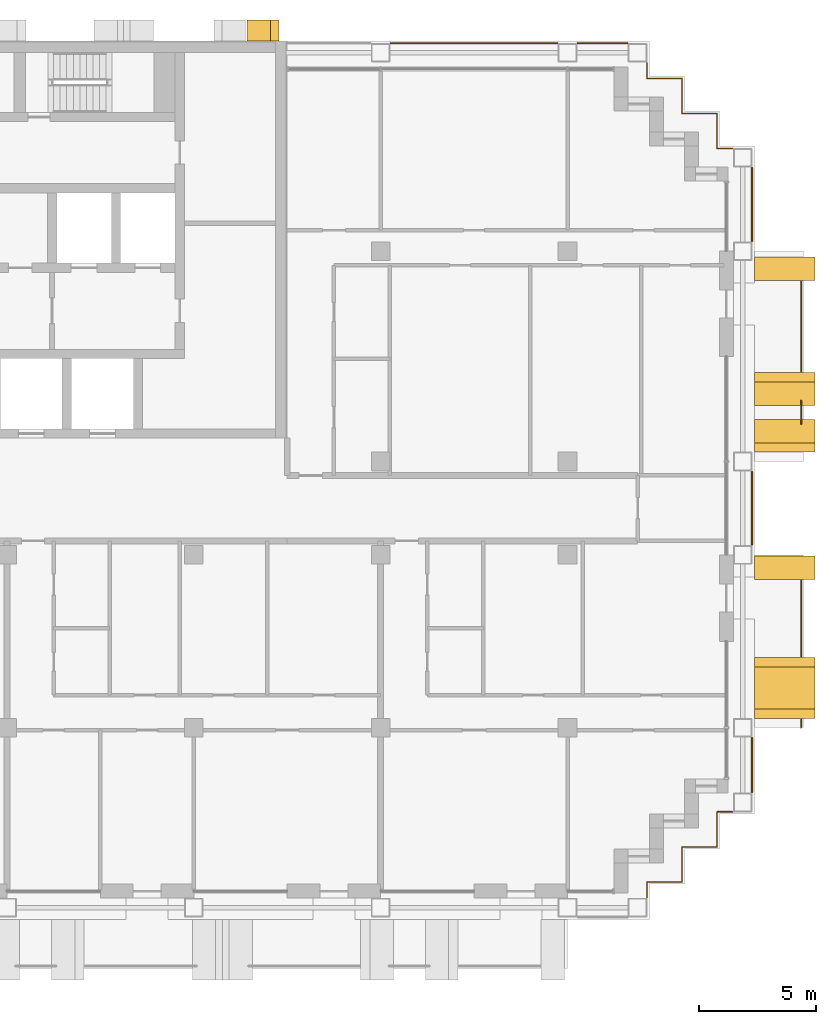
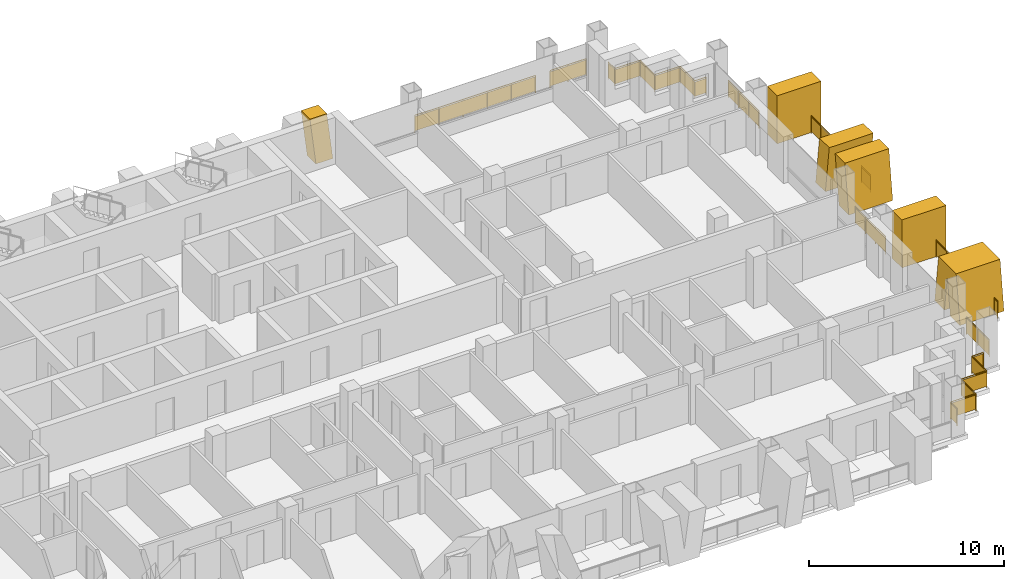
# One storey, part 18 of 18: 11 railings, 6 shading devices.
"""IFC4 building model written with IfcOpenShell, lengths in metres."""

import ifcopenshell
import ifcopenshell.guid

model = None  # the IFC model being written
_history = None  # IfcOwnerHistory: only IFC2X3 demands one
_inside = {}  # id of a spatial element -> (the spatial element, [elements in it])
_under = {}  # id of a project, library or spatial element -> (it, [spatial elements below it])
_declared = {}  # id of a project -> (the project, [libraries it declares])
_typed = {}  # id of a type object -> (the type object, [elements of that type])
_made_of = {}  # id of a material, layer set ... -> (it, [elements and type objects made of it])


def new_model(schema):
    """Start an empty IFC model of exactly this schema.

    Asked for "IFC4X3", IfcOpenShell would pick the latest addendum, in which some entities
    have other attributes; the version numbers below select the first issue.
    IFC2X3 requires an IfcOwnerHistory on every rooted entity: one is made here for all.
    """
    global model, _history
    if schema == "IFC4X3":
        model = ifcopenshell.file(schema_version=(4, 3, 0, 0))
    else:
        model = ifcopenshell.file(schema=schema)
    _inside.clear()
    _under.clear()
    _declared.clear()
    _typed.clear()
    _made_of.clear()
    _history = None
    if model.schema == "IFC2X3":
        org = make("IfcOrganization", Name="unknown")
        user = make(
            "IfcPersonAndOrganization",
            ThePerson=make("IfcPerson", FamilyName="unknown"),
            TheOrganization=org,
        )
        app = make(
            "IfcApplication",
            ApplicationDeveloper=org,
            Version="unknown",
            ApplicationFullName="unknown",
            ApplicationIdentifier="unknown",
        )
        _history = make(
            "IfcOwnerHistory",
            OwningUser=user,
            OwningApplication=app,
            ChangeAction="ADDED",
            CreationDate=0,
        )
    return model


def make(cls, **values):
    """One entity of the class cls with the attributes given. An attribute that is None is left unset."""
    return model.create_entity(
        cls, **{name: value for name, value in values.items() if value is not None}
    )


def rooted(cls, **values):
    """An entity with a GlobalId (a new one), such as an element, a storey or a relation."""
    return make(cls, GlobalId=ifcopenshell.guid.new(), OwnerHistory=_history, **values)


def si_unit(unit_type, name, prefix=None):
    """IfcSIUnit, for example si_unit("LENGTHUNIT", "METRE", prefix="MILLI")."""
    return make("IfcSIUnit", UnitType=unit_type, Prefix=prefix, Name=name)


def assignment(units):
    """IfcUnitAssignment: the units of a project."""
    return None if units is None else make("IfcUnitAssignment", Units=units)


def point(xyz):
    """IfcCartesianPoint."""
    return None if xyz is None else make("IfcCartesianPoint", Coordinates=xyz)


def direction(xyz):
    """IfcDirection."""
    return None if xyz is None else make("IfcDirection", DirectionRatios=xyz)


def frame(location, z_axis=None, x_axis=None):
    """IfcAxis2Placement3D, a coordinate frame: its origin and axes. An axis left out is left unset."""
    return make(
        "IfcAxis2Placement3D",
        Location=point(location),
        Axis=direction(z_axis),
        RefDirection=direction(x_axis),
    )


def frame_2d(location, x_axis=None):
    """IfcAxis2Placement2D, a coordinate frame in the plane: its origin and x axis."""
    return make(
        "IfcAxis2Placement2D", Location=point(location), RefDirection=direction(x_axis)
    )


def origin():
    """The frame at (0, 0, 0) with its axes left unset."""
    return frame((0.0, 0.0, 0.0))


def origin_2d():
    """The frame at (0, 0) in the plane with its x axis left unset."""
    return frame_2d((0.0, 0.0))


def place(relative_to, where):
    """IfcLocalPlacement: puts the frame where relative to a parent placement (None: the world)."""
    return make(
        "IfcLocalPlacement", PlacementRelTo=relative_to, RelativePlacement=where
    )


def context(
    kind, dimensions, precision=None, world=None, true_north=None, identifier=None
):
    """IfcGeometricRepresentationContext, for example the 3D "Model" context."""
    return make(
        "IfcGeometricRepresentationContext",
        ContextIdentifier=identifier,
        ContextType=kind,
        CoordinateSpaceDimension=dimensions,
        Precision=precision,
        WorldCoordinateSystem=world,
        TrueNorth=true_north,
    )


def subcontext(parent, identifier, kind, view, scale=None):
    """IfcGeometricRepresentationSubContext, for example "Body" below "Model"."""
    return make(
        "IfcGeometricRepresentationSubContext",
        ContextIdentifier=identifier,
        ContextType=kind,
        ParentContext=parent,
        TargetScale=scale,
        TargetView=view,
    )


def project(units=None, contexts=None):
    """IfcProject with its units and contexts."""
    return rooted(
        "IfcProject",
        Name="project",
        RepresentationContexts=contexts,
        UnitsInContext=assignment(units),
    )


def spatial(cls, under=None, at=None, **own):
    """A site, building, storey or space (cls), placed at a placement, below another one or the project."""
    s = rooted(cls, ObjectPlacement=at, **own)
    if under is not None:
        _under.setdefault(under.id(), (under, []))[1].append(s)
    return s


def polyline(points):
    """IfcPolyline through the points."""
    return make("IfcPolyline", Points=[point(p) for p in points])


def profile(cls, at=None, kind="AREA", **sizes):
    """A parametric profile (cls). Its sizes go by their IFC names, for example OverallWidth=200.0."""
    return make(cls, ProfileType=kind, Position=at, **sizes)


def rectangle(**sizes):
    """IfcRectangleProfileDef."""
    return profile("IfcRectangleProfileDef", **sizes)


def circle(**sizes):
    """IfcCircleProfileDef."""
    return profile("IfcCircleProfileDef", **sizes)


def outline(outer, holes=None, kind="AREA"):
    """IfcArbitraryClosedProfileDef: a profile drawn as a closed curve; with holes, ...WithVoids."""
    if holes is None:
        return make("IfcArbitraryClosedProfileDef", ProfileType=kind, OuterCurve=outer)
    return make(
        "IfcArbitraryProfileDefWithVoids",
        ProfileType=kind,
        OuterCurve=outer,
        InnerCurves=holes,
    )


def extrude(swept, where, along, depth):
    """IfcExtrudedAreaSolid: the profile swept, set in the frame where, extruded along a direction by depth."""
    return make(
        "IfcExtrudedAreaSolid",
        SweptArea=swept,
        Position=where,
        ExtrudedDirection=direction(along),
        Depth=depth,
    )


def shape(context_of_items, identifier, shape_type, items):
    """IfcShapeRepresentation: the items that make up one representation, for example the "Body"."""
    return make(
        "IfcShapeRepresentation",
        ContextOfItems=context_of_items,
        RepresentationIdentifier=identifier,
        RepresentationType=shape_type,
        Items=items,
    )


def material(Name=None, Category=None):
    """IfcMaterial."""
    return make("IfcMaterial", Name=Name, Category=Category)


def layer(
    of_material, thickness, ventilated=None, Name=None, Category=None, Priority=None
):
    """IfcMaterialLayer: one layer of a wall or slab, of a material (None: an air gap)."""
    return make(
        "IfcMaterialLayer",
        Material=of_material,
        LayerThickness=thickness,
        IsVentilated=ventilated,
        Name=Name,
        Category=Category,
        Priority=Priority,
    )


def layer_set(layers, Name=None):
    """IfcMaterialLayerSet."""
    return make("IfcMaterialLayerSet", MaterialLayers=layers, LayerSetName=Name)


def made_of(thing, what):
    """Note that an element or type object is made of a material, layer set ...; save() writes the relation."""
    if what is not None:
        _made_of.setdefault(what.id(), (what, []))[1].append(thing)
    return thing


def type_object(cls, material=None, **own):
    """A type object (cls), such as IfcWallType, which elements share."""
    return made_of(rooted(cls, **own), material)


def element(
    cls,
    number,
    at=None,
    inside=None,
    cuts=None,
    type_object=None,
    material=None,
    context=None,
    identifier="Body",
    shape_type=None,
    held_by="IfcProductDefinitionShape",
    body=None,
    shapes=None,
    **own,
):
    """One element of the class cls, such as IfcWall. Its Tag is "e" and its number.

    at: its placement. inside: the storey or other place that contains it. cuts: it is an
    opening in that element (IfcRelVoidsElement). A single representation is given by context,
    identifier, shape_type and body (its items); several are given by shapes. held_by: the class
    of the entity that holds the representations. save() writes the other relations.
    """
    e = rooted(cls, Tag="e%d" % number, ObjectPlacement=at, **own)
    if body is not None:
        shapes = [shape(context, identifier, shape_type, body)]
    if shapes is not None:
        e.Representation = make(held_by, Representations=shapes)
    if inside is not None:
        _inside.setdefault(inside.id(), (inside, []))[1].append(e)
    if cuts is not None:
        rooted(
            "IfcRelVoidsElement", RelatingBuildingElement=cuts, RelatedOpeningElement=e
        )
    if type_object is not None:
        _typed.setdefault(type_object.id(), (type_object, []))[1].append(e)
    return made_of(e, material)


def aggregate(whole, parts):
    """IfcRelAggregates: a whole, such as a stair, and the parts it consists of."""
    return rooted("IfcRelAggregates", RelatingObject=whole, RelatedObjects=parts)


def save(model, path):
    """Write the relations noted so far, then the file.

    IfcRelAggregates (storeys below a building ...), IfcRelContainedInSpatialStructure (elements
    in a storey), IfcRelDefinesByType, IfcRelAssociatesMaterial and IfcRelDeclares: one each for
    every whole, place, type object, material and project.
    """
    for whole, parts in _under.values():
        aggregate(whole, parts)
    for where, things in _inside.values():
        rooted(
            "IfcRelContainedInSpatialStructure",
            RelatedElements=things,
            RelatingStructure=where,
        )
    for kind, things in _typed.values():
        rooted("IfcRelDefinesByType", RelatedObjects=things, RelatingType=kind)
    for what, things in _made_of.values():
        rooted("IfcRelAssociatesMaterial", RelatedObjects=things, RelatingMaterial=what)
    for by, libraries in _declared.values():
        rooted("IfcRelDeclares", RelatingContext=by, RelatedDefinitions=libraries)
    model.write(path)


model = new_model("IFC4")

# Units and contexts
model_context = context("Model", 3, precision=1e-05, world=origin(), true_north=direction((0.0, 1.0)))
body_context = subcontext(model_context, "Body", "Model", "MODEL_VIEW")
ifc_project = project(units=[si_unit("LENGTHUNIT", "METRE"), si_unit("AREAUNIT", "SQUARE_METRE"), si_unit("VOLUMEUNIT", "CUBIC_METRE"), si_unit("PLANEANGLEUNIT", "RADIAN"), si_unit("MASSUNIT", "GRAM", prefix="KILO")], contexts=[model_context])

# Site, building, storey
site_placement = place(None, origin())
site = spatial("IfcSite", under=ifc_project, at=site_placement, CompositionType="ELEMENT")
building_placement = place(site_placement, origin())
building = spatial("IfcBuilding", under=site, at=building_placement, Name="Vidyagriha Tower", CompositionType="ELEMENT")
storey_placement = place(building_placement, frame((0.0, 0.0, 123.0)))
storey = spatial("IfcBuildingStorey", under=building, at=storey_placement, Name="L31", CompositionType="ELEMENT", Elevation=123.0)

# Railings
ifc_material_1 = material(Name="Steel ASTM A500 Grade C black painted", Category="steel")
railing_type_1 = type_object("IfcRailingType", Name="Balcony guard 1100", PredefinedType="BALUSTRADE", material=ifc_material_1)
railing_1_placement = place(storey_placement, frame((36.0, -9.39990234375, 0.0)))
element("IfcRailing", 1, at=railing_1_placement, inside=storey, type_object=railing_type_1, Name="Balcony guard L31 R30.1-1", PredefinedType="BALUSTRADE", context=body_context, shape_type="SweptSolid", body=[
    extrude(circle(Radius=0.02490234375, at=origin_2d()), frame((0.0, 0.0, 1.0751953125), z_axis=(0.0, 1.0, 0.0), x_axis=(-1.0, 0.0, 0.0)), (0.0, 0.0, 1.0), 0.349853515625),
    extrude(circle(Radius=0.02001953125, at=origin_2d()), origin(), (0.0, 0.0, 1.0), 1.050048828125),
    extrude(circle(Radius=0.02001953125, at=origin_2d()), frame((0.0, 0.349853515625, 0.0)), (0.0, 0.0, 1.0), 1.050048828125),
    extrude(rectangle(XDim=0.010009765625, YDim=0.900146484375, at=origin_2d()), frame((0.0, 0.0, 0.550048828125), z_axis=(0.0, 1.0, 0.0), x_axis=(-1.0, 0.0, 0.0)), (0.0, 0.0, 1.0), 0.349853515625),
])
railing_2_placement = place(storey_placement, frame((36.0, -6.35009765625, 0.0)))
element("IfcRailing", 2, at=railing_2_placement, inside=storey, type_object=railing_type_1, Name="Balcony guard L31 R30.1-2", PredefinedType="BALUSTRADE", context=body_context, shape_type="SweptSolid", body=[
    extrude(circle(Radius=0.02490234375, at=origin_2d()), frame((0.0, 0.0, 1.0751953125), z_axis=(0.0, 1.0, 0.0), x_axis=(-1.0, 0.0, 0.0)), (0.0, 0.0, 1.0), 3.25),
    extrude(circle(Radius=0.02001953125, at=origin_2d()), origin(), (0.0, 0.0, 1.0), 1.050048828125),
    extrude(circle(Radius=0.02001953125, at=origin_2d()), frame((0.0, 1.083251953125, 0.0)), (0.0, 0.0, 1.0), 1.050048828125),
    extrude(circle(Radius=0.02001953125, at=origin_2d()), frame((0.0, 2.166748046875, 0.0)), (0.0, 0.0, 1.0), 1.050048828125),
    extrude(circle(Radius=0.02001953125, at=origin_2d()), frame((0.0, 3.25, 0.0)), (0.0, 0.0, 1.0), 1.050048828125),
    extrude(rectangle(XDim=0.010009765625, YDim=0.900146484375, at=origin_2d()), frame((0.0, 0.0, 0.550048828125), z_axis=(0.0, 1.0, 0.0), x_axis=(-1.0, 0.0, 0.0)), (0.0, 0.0, 1.0), 3.25),
])
railing_3_placement = place(storey_placement, frame((36.0, 3.603271484375, 0.0)))
element("IfcRailing", 3, at=railing_3_placement, inside=storey, type_object=railing_type_1, Name="Balcony guard L31 R30.2-1", PredefinedType="BALUSTRADE", context=body_context, shape_type="SweptSolid", body=[
    extrude(circle(Radius=0.02490234375, at=origin_2d()), frame((0.0, 0.0, 1.0751953125), z_axis=(0.0, 1.0, 0.0), x_axis=(-1.0, 0.0, 0.0)), (0.0, 0.0, 1.0), 0.993408203125),
    extrude(circle(Radius=0.02001953125, at=origin_2d()), origin(), (0.0, 0.0, 1.0), 1.050048828125),
    extrude(circle(Radius=0.02001953125, at=origin_2d()), frame((0.0, 0.993408203125, 0.0)), (0.0, 0.0, 1.0), 1.050048828125),
    extrude(rectangle(XDim=0.010009765625, YDim=0.900146484375, at=origin_2d()), frame((0.0, 0.0, 0.550048828125), z_axis=(0.0, 1.0, 0.0), x_axis=(-1.0, 0.0, 0.0)), (0.0, 0.0, 1.0), 0.993408203125),
])
railing_4_placement = place(storey_placement, frame((36.0, 5.85009765625, 0.0)))
element("IfcRailing", 4, at=railing_4_placement, inside=storey, type_object=railing_type_1, Name="Balcony guard L31 R30.2-2", PredefinedType="BALUSTRADE", context=body_context, shape_type="SweptSolid", body=[
    extrude(circle(Radius=0.02490234375, at=origin_2d()), frame((0.0, 0.0, 1.0751953125), z_axis=(0.0, 1.0, 0.0), x_axis=(-1.0, 0.0, 0.0)), (0.0, 0.0, 1.0), 3.849853515625),
    extrude(circle(Radius=0.02001953125, at=origin_2d()), origin(), (0.0, 0.0, 1.0), 1.050048828125),
    extrude(circle(Radius=0.02001953125, at=origin_2d()), frame((0.0, 0.96240234375, 0.0)), (0.0, 0.0, 1.0), 1.050048828125),
    extrude(circle(Radius=0.02001953125, at=origin_2d()), frame((0.0, 1.9248046875, 0.0)), (0.0, 0.0, 1.0), 1.050048828125),
    extrude(circle(Radius=0.02001953125, at=origin_2d()), frame((0.0, 2.887451171875, 0.0)), (0.0, 0.0, 1.0), 1.050048828125),
    extrude(circle(Radius=0.02001953125, at=origin_2d()), frame((0.0, 3.849853515625, 0.0)), (0.0, 0.0, 1.0), 1.050048828125),
    extrude(rectangle(XDim=0.010009765625, YDim=0.900146484375, at=origin_2d()), frame((0.0, 0.0, 0.550048828125), z_axis=(0.0, 1.0, 0.0), x_axis=(-1.0, 0.0, 0.0)), (0.0, 0.0, 1.0), 3.849853515625),
])

# Shading devices
ifc_material_2 = material(Name="Precast concrete C40/50 with buff brick facing", Category="concrete")
ifc_layer_1 = layer(ifc_material_2, 1.0)
ifc_layer_set_1 = layer_set([ifc_layer_1], Name="Precast concrete C40/50 with buff brick facing")
shading_device_type_1 = type_object("IfcShadingDeviceType", Name="Brick-faced blade fin arm leaning 8 degrees", PredefinedType="USERDEFINED", material=ifc_layer_set_1)
shading_device_1_placement = place(storey_placement, frame((35.300048828125, 2.39990234375, 0.0), z_axis=(0.0, 0.0, 1.0), x_axis=(0.0, 1.0, 0.0)))
element("IfcShadingDevice", 5, at=shading_device_1_placement, inside=storey, type_object=shading_device_type_1, Name="Leaning blade fin L31 R30.1360a", ObjectType="BLADE FIN", PredefinedType="USERDEFINED", context=body_context, shape_type="SweptSolid", body=[
    extrude(outline(polyline([(0.0, 0.0), (1.0, 0.0), (1.39990234375, 3.0), (0.39990234375, 3.0), (0.0, 0.0)])), frame((0.0, 1.300048828125, 0.0), z_axis=(0.0, -1.0, 0.0), x_axis=(1.0, 0.0, 0.0)), (0.0, 0.0, 1.0), 2.60009765625),
])
shading_device_2_placement = place(storey_placement, frame((35.300048828125, 4.39990234375, 0.0), z_axis=(0.0, 0.0, 1.0), x_axis=(0.0, 1.0, 0.0)))
element("IfcShadingDevice", 6, at=shading_device_2_placement, inside=storey, type_object=shading_device_type_1, Name="Leaning blade fin L31 R30.1360b", ObjectType="BLADE FIN", PredefinedType="USERDEFINED", context=body_context, shape_type="SweptSolid", body=[
    extrude(outline(polyline([(0.39990234375, 0.0), (1.39990234375, 0.0), (1.0, 3.0), (0.0, 3.0), (0.39990234375, 0.0)])), frame((0.0, 1.300048828125, 0.0), z_axis=(0.0, -1.0, 0.0), x_axis=(1.0, 0.0, 0.0)), (0.0, 0.0, 1.0), 2.60009765625),
])
ifc_material_3 = material(Name="Precast concrete C40/50 with buff brick facing", Category="concrete")
ifc_layer_2 = layer(ifc_material_3, 1.0)
ifc_layer_set_2 = layer_set([ifc_layer_2], Name="Precast concrete C40/50 with buff brick facing")
shading_device_type_2 = type_object("IfcShadingDeviceType", Name="Brick-faced blade fin forking 8 degrees", PredefinedType="USERDEFINED", material=ifc_layer_set_2)
shading_device_3_placement = place(storey_placement, frame((35.300048828125, -9.0, 0.0), z_axis=(0.0, 0.0, 1.0), x_axis=(0.0, 1.0, 0.0)))
element("IfcShadingDevice", 7, at=shading_device_3_placement, inside=storey, type_object=shading_device_type_2, Name="Forked blade fin L31 R30.220a", ObjectType="BLADE FIN", PredefinedType="USERDEFINED", context=body_context, shape_type="SweptSolid", body=[
    extrude(outline(polyline([(1.0, 0.0), (1.300048828125, 2.25), (1.60009765625, 0.0), (2.60009765625, 0.0), (2.199951171875, 3.0), (0.39990234375, 3.0), (0.0, 0.0), (1.0, 0.0)])), frame((0.0, 1.300048828125, 0.0), z_axis=(0.0, -1.0, 0.0), x_axis=(1.0, 0.0, 0.0)), (0.0, 0.0, 1.0), 2.60009765625),
])
ifc_material_4 = material(Name="Precast concrete C40/50 with buff brick facing", Category="concrete")
ifc_layer_3 = layer(ifc_material_4, 1.0)
ifc_layer_set_3 = layer_set([ifc_layer_3], Name="Precast concrete C40/50 with buff brick facing")
shading_device_type_3 = type_object("IfcShadingDeviceType", Name="Brick-faced blade fin stem 1000", PredefinedType="USERDEFINED", material=ifc_layer_set_3)
for number, where, z_axis, x_axis, name in (
    (8, (35.300048828125, -3.050048828125, 0.0), (0.0, 0.0, 1.0), (0.0, 1.0, 0.0), "Stem blade fin L31 R30.960a"),
    (9, (35.300048828125, 9.75, 0.0), (0.0, 0.0, 1.0), (0.0, 1.0, 0.0), "Stem blade fin L31 R30.2260a"),
):
    element("IfcShadingDevice", number, at=place(storey_placement, frame(where, z_axis=z_axis, x_axis=x_axis)), inside=storey, type_object=shading_device_type_3, Name=name, ObjectType="BLADE FIN", PredefinedType="USERDEFINED", context=body_context, shape_type="SweptSolid", body=[
        extrude(outline(polyline([(0.0, 0.0), (1.0, 0.0), (1.0, 3.0), (0.0, 3.0), (0.0, 0.0)])), frame((0.0, 1.300048828125, 0.0), z_axis=(0.0, -1.0, 0.0), x_axis=(1.0, 0.0, 0.0)), (0.0, 0.0, 1.0), 2.60009765625),
    ])
ifc_material_5 = material(Name="Precast concrete C40/50 with brick facing", Category="concrete")
ifc_layer_4 = layer(ifc_material_5, 1.0)
ifc_layer_set_4 = layer_set([ifc_layer_4], Name="Precast concrete C40/50 with brick facing")
shading_device_type_4 = type_object("IfcShadingDeviceType", Name="Brick-faced rear rib arm leaning 8 degrees", PredefinedType="USERDEFINED", material=ifc_layer_set_4)
shading_device_4_placement = place(storey_placement, frame((13.642822265625, 20.449951171875, 0.0), z_axis=(0.0, 0.0, 1.0), x_axis=(-1.0, 0.0, 0.0)))
element("IfcShadingDevice", 10, at=shading_device_4_placement, inside=storey, type_object=shading_device_type_4, Name="Rear rib arm L31 R08.1a", ObjectType="BLADE FIN", PredefinedType="USERDEFINED", context=body_context, shape_type="SweptSolid", body=[
    extrude(outline(polyline([(0.0, 0.0), (1.0, 0.0), (1.357177734375, 2.919921875), (0.357177734375, 2.919921875), (0.0, 0.0)])), frame((0.0, 0.449951171875, 0.0), z_axis=(0.0, -1.0, 0.0), x_axis=(1.0, 0.0, 0.0)), (0.0, 0.0, 1.0), 0.89990234375),
])

# Railings
ifc_material_6 = material(Name="Steel ASTM A500 Grade C black painted", Category="steel")
railing_type_2 = type_object("IfcRailingType", Name="Gallery guard 1100", PredefinedType="GUARDRAIL", material=ifc_material_6)
railing_5_placement = place(storey_placement, frame((18.429931640625, 19.89990234375, 0.0)))
element("IfcRailing", 11, at=railing_5_placement, inside=storey, type_object=railing_type_2, Name="Gallery guard L31 10", PredefinedType="GUARDRAIL", context=body_context, shape_type="SweptSolid", body=[
    extrude(circle(Radius=0.02490234375, at=origin_2d()), frame((0.0, 0.0, 1.0751953125), z_axis=(1.0, 0.0, 0.0), x_axis=(0.0, 1.0, 0.0)), (0.0, 0.0, 1.0), 7.14013671875),
    extrude(circle(Radius=0.02001953125, at=origin_2d()), origin(), (0.0, 0.0, 1.0), 1.050048828125),
    extrude(circle(Radius=0.02001953125, at=origin_2d()), frame((1.427978515625, 0.0, 0.0)), (0.0, 0.0, 1.0), 1.050048828125),
    extrude(circle(Radius=0.02001953125, at=origin_2d()), frame((2.85595703125, 0.0, 0.0)), (0.0, 0.0, 1.0), 1.050048828125),
    extrude(circle(Radius=0.02001953125, at=origin_2d()), frame((4.2841796875, 0.0, 0.0)), (0.0, 0.0, 1.0), 1.050048828125),
    extrude(circle(Radius=0.02001953125, at=origin_2d()), frame((5.712158203125, 0.0, 0.0)), (0.0, 0.0, 1.0), 1.050048828125),
    extrude(circle(Radius=0.02001953125, at=origin_2d()), frame((7.14013671875, 0.0, 0.0)), (0.0, 0.0, 1.0), 1.050048828125),
    extrude(rectangle(XDim=0.010009765625, YDim=0.900146484375, at=origin_2d()), frame((0.0, 0.0, 0.550048828125), z_axis=(1.0, 0.0, 0.0), x_axis=(0.0, 1.0, 0.0)), (0.0, 0.0, 1.0), 7.14013671875),
])
railing_6_placement = place(storey_placement, frame((26.429931640625, 19.89990234375, 0.0)))
element("IfcRailing", 12, at=railing_6_placement, inside=storey, type_object=railing_type_2, Name="Gallery guard L31 12", PredefinedType="GUARDRAIL", context=body_context, shape_type="SweptSolid", body=[
    extrude(circle(Radius=0.02490234375, at=origin_2d()), frame((0.0, 0.0, 1.0751953125), z_axis=(1.0, 0.0, 0.0), x_axis=(0.0, 1.0, 0.0)), (0.0, 0.0, 1.0), 2.14013671875),
    extrude(circle(Radius=0.02001953125, at=origin_2d()), origin(), (0.0, 0.0, 1.0), 1.050048828125),
    extrude(circle(Radius=0.02001953125, at=origin_2d()), frame((1.070068359375, 0.0, 0.0)), (0.0, 0.0, 1.0), 1.050048828125),
    extrude(circle(Radius=0.02001953125, at=origin_2d()), frame((2.14013671875, 0.0, 0.0)), (0.0, 0.0, 1.0), 1.050048828125),
    extrude(rectangle(XDim=0.010009765625, YDim=0.900146484375, at=origin_2d()), frame((0.0, 0.0, 0.550048828125), z_axis=(1.0, 0.0, 0.0), x_axis=(0.0, 1.0, 0.0)), (0.0, 0.0, 1.0), 2.14013671875),
])
railing_7_placement = place(storey_placement, frame((33.070068359375, -13.0, 0.0)))
element("IfcRailing", 13, at=railing_7_placement, inside=storey, type_object=railing_type_2, Name="Gallery guard L31 13", PredefinedType="GUARDRAIL", context=body_context, shape_type="SweptSolid", body=[
    extrude(circle(Radius=0.02490234375, at=origin_2d()), frame((0.0, 0.0, 1.0751953125), z_axis=(-1.0, 0.0, 0.0), x_axis=(0.0, -1.0, 0.0)), (0.0, 0.0, 1.0), 0.670166015625),
    extrude(circle(Radius=0.02490234375, at=origin_2d()), frame((-0.670166015625, 0.0, 1.0751953125), z_axis=(0.0, -1.0, 0.0), x_axis=(1.0, 0.0, 0.0)), (0.0, 0.0, 1.0), 1.5),
    extrude(circle(Radius=0.02490234375, at=origin_2d()), frame((-0.670166015625, -1.5, 1.0751953125), z_axis=(-1.0, 0.0, 0.0), x_axis=(0.0, -1.0, 0.0)), (0.0, 0.0, 1.0), 1.5),
    extrude(circle(Radius=0.02490234375, at=origin_2d()), frame((-2.170166015625, -1.5, 1.0751953125), z_axis=(0.0, -1.0, 0.0), x_axis=(1.0, 0.0, 0.0)), (0.0, 0.0, 1.0), 1.5),
    extrude(circle(Radius=0.02490234375, at=origin_2d()), frame((-2.170166015625, -3.0, 1.0751953125), z_axis=(-1.0, 0.0, 0.0), x_axis=(0.0, -1.0, 0.0)), (0.0, 0.0, 1.0), 1.5),
    extrude(circle(Radius=0.02490234375, at=origin_2d()), frame((-3.670166015625, -3.0, 1.0751953125), z_axis=(0.0, -1.0, 0.0), x_axis=(1.0, 0.0, 0.0)), (0.0, 0.0, 1.0), 0.669921875),
    extrude(circle(Radius=0.02001953125, at=origin_2d()), origin(), (0.0, 0.0, 1.0), 1.050048828125),
    extrude(circle(Radius=0.02001953125, at=origin_2d()), frame((-0.670166015625, 0.0, 0.0)), (0.0, 0.0, 1.0), 1.050048828125),
    extrude(circle(Radius=0.02001953125, at=origin_2d()), frame((-0.670166015625, -1.5, 0.0)), (0.0, 0.0, 1.0), 1.050048828125),
    extrude(circle(Radius=0.02001953125, at=origin_2d()), frame((-2.170166015625, -1.5, 0.0)), (0.0, 0.0, 1.0), 1.050048828125),
    extrude(circle(Radius=0.02001953125, at=origin_2d()), frame((-2.170166015625, -3.0, 0.0)), (0.0, 0.0, 1.0), 1.050048828125),
    extrude(circle(Radius=0.02001953125, at=origin_2d()), frame((-3.670166015625, -3.0, 0.0)), (0.0, 0.0, 1.0), 1.050048828125),
    extrude(circle(Radius=0.02001953125, at=origin_2d()), frame((-3.670166015625, -3.669921875, 0.0)), (0.0, 0.0, 1.0), 1.050048828125),
    extrude(rectangle(XDim=0.010009765625, YDim=0.900146484375, at=origin_2d()), frame((0.0, 0.0, 0.550048828125), z_axis=(-1.0, 0.0, 0.0), x_axis=(0.0, -1.0, 0.0)), (0.0, 0.0, 1.0), 0.670166015625),
    extrude(rectangle(XDim=0.010009765625, YDim=0.900146484375, at=origin_2d()), frame((-0.670166015625, 0.0, 0.550048828125), z_axis=(0.0, -1.0, 0.0), x_axis=(1.0, 0.0, 0.0)), (0.0, 0.0, 1.0), 1.5),
    extrude(rectangle(XDim=0.010009765625, YDim=0.900146484375, at=origin_2d()), frame((-0.670166015625, -1.5, 0.550048828125), z_axis=(-1.0, 0.0, 0.0), x_axis=(0.0, -1.0, 0.0)), (0.0, 0.0, 1.0), 1.5),
    extrude(rectangle(XDim=0.010009765625, YDim=0.900146484375, at=origin_2d()), frame((-2.170166015625, -1.5, 0.550048828125), z_axis=(0.0, -1.0, 0.0), x_axis=(1.0, 0.0, 0.0)), (0.0, 0.0, 1.0), 1.5),
    extrude(rectangle(XDim=0.010009765625, YDim=0.900146484375, at=origin_2d()), frame((-2.170166015625, -3.0, 0.550048828125), z_axis=(-1.0, 0.0, 0.0), x_axis=(0.0, -1.0, 0.0)), (0.0, 0.0, 1.0), 1.5),
    extrude(rectangle(XDim=0.010009765625, YDim=0.900146484375, at=origin_2d()), frame((-3.670166015625, -3.0, 0.550048828125), z_axis=(0.0, -1.0, 0.0), x_axis=(1.0, 0.0, 0.0)), (0.0, 0.0, 1.0), 0.669921875),
])
railing_8_placement = place(storey_placement, frame((29.39990234375, 19.070068359375, 0.0)))
element("IfcRailing", 14, at=railing_8_placement, inside=storey, type_object=railing_type_2, Name="Gallery guard L31 14", PredefinedType="GUARDRAIL", context=body_context, shape_type="SweptSolid", body=[
    extrude(circle(Radius=0.02490234375, at=origin_2d()), frame((0.0, 0.0, 1.0751953125), z_axis=(0.0, -1.0, 0.0), x_axis=(1.0, 0.0, 0.0)), (0.0, 0.0, 1.0), 0.670166015625),
    extrude(circle(Radius=0.02490234375, at=origin_2d()), frame((0.0, -0.670166015625, 1.0751953125), z_axis=(1.0, 0.0, 0.0), x_axis=(0.0, 1.0, 0.0)), (0.0, 0.0, 1.0), 1.5),
    extrude(circle(Radius=0.02490234375, at=origin_2d()), frame((1.5, -0.670166015625, 1.0751953125), z_axis=(0.0, -1.0, 0.0), x_axis=(1.0, 0.0, 0.0)), (0.0, 0.0, 1.0), 1.5),
    extrude(circle(Radius=0.02490234375, at=origin_2d()), frame((1.5, -2.170166015625, 1.0751953125), z_axis=(1.0, 0.0, 0.0), x_axis=(0.0, 1.0, 0.0)), (0.0, 0.0, 1.0), 1.5),
    extrude(circle(Radius=0.02490234375, at=origin_2d()), frame((3.0, -2.170166015625, 1.0751953125), z_axis=(0.0, -1.0, 0.0), x_axis=(1.0, 0.0, 0.0)), (0.0, 0.0, 1.0), 1.5),
    extrude(circle(Radius=0.02490234375, at=origin_2d()), frame((3.0, -3.670166015625, 1.0751953125), z_axis=(1.0, 0.0, 0.0), x_axis=(0.0, 1.0, 0.0)), (0.0, 0.0, 1.0), 0.670166015625),
    extrude(circle(Radius=0.02001953125, at=origin_2d()), origin(), (0.0, 0.0, 1.0), 1.050048828125),
    extrude(circle(Radius=0.02001953125, at=origin_2d()), frame((0.0, -0.670166015625, 0.0)), (0.0, 0.0, 1.0), 1.050048828125),
    extrude(circle(Radius=0.02001953125, at=origin_2d()), frame((1.5, -0.670166015625, 0.0)), (0.0, 0.0, 1.0), 1.050048828125),
    extrude(circle(Radius=0.02001953125, at=origin_2d()), frame((1.5, -2.170166015625, 0.0)), (0.0, 0.0, 1.0), 1.050048828125),
    extrude(circle(Radius=0.02001953125, at=origin_2d()), frame((3.0, -2.170166015625, 0.0)), (0.0, 0.0, 1.0), 1.050048828125),
    extrude(circle(Radius=0.02001953125, at=origin_2d()), frame((3.0, -3.670166015625, 0.0)), (0.0, 0.0, 1.0), 1.050048828125),
    extrude(circle(Radius=0.02001953125, at=origin_2d()), frame((3.670166015625, -3.670166015625, 0.0)), (0.0, 0.0, 1.0), 1.050048828125),
    extrude(rectangle(XDim=0.010009765625, YDim=0.900146484375, at=origin_2d()), frame((0.0, 0.0, 0.550048828125), z_axis=(0.0, -1.0, 0.0), x_axis=(1.0, 0.0, 0.0)), (0.0, 0.0, 1.0), 0.670166015625),
    extrude(rectangle(XDim=0.010009765625, YDim=0.900146484375, at=origin_2d()), frame((0.0, -0.670166015625, 0.550048828125), z_axis=(1.0, 0.0, 0.0), x_axis=(0.0, 1.0, 0.0)), (0.0, 0.0, 1.0), 1.5),
    extrude(rectangle(XDim=0.010009765625, YDim=0.900146484375, at=origin_2d()), frame((1.5, -0.670166015625, 0.550048828125), z_axis=(0.0, -1.0, 0.0), x_axis=(1.0, 0.0, 0.0)), (0.0, 0.0, 1.0), 1.5),
    extrude(rectangle(XDim=0.010009765625, YDim=0.900146484375, at=origin_2d()), frame((1.5, -2.170166015625, 0.550048828125), z_axis=(1.0, 0.0, 0.0), x_axis=(0.0, 1.0, 0.0)), (0.0, 0.0, 1.0), 1.5),
    extrude(rectangle(XDim=0.010009765625, YDim=0.900146484375, at=origin_2d()), frame((3.0, -2.170166015625, 0.550048828125), z_axis=(0.0, -1.0, 0.0), x_axis=(1.0, 0.0, 0.0)), (0.0, 0.0, 1.0), 1.5),
    extrude(rectangle(XDim=0.010009765625, YDim=0.900146484375, at=origin_2d()), frame((3.0, -3.670166015625, 0.550048828125), z_axis=(1.0, 0.0, 0.0), x_axis=(0.0, 1.0, 0.0)), (0.0, 0.0, 1.0), 0.670166015625),
])
railing_9_placement = place(storey_placement, frame((33.89990234375, -9.830078125, 0.0)))
element("IfcRailing", 15, at=railing_9_placement, inside=storey, type_object=railing_type_2, Name="Gallery guard L31 15", PredefinedType="GUARDRAIL", context=body_context, shape_type="SweptSolid", body=[
    extrude(circle(Radius=0.02490234375, at=origin_2d()), frame((0.0, 0.0, 1.0751953125), z_axis=(0.0, -1.0, 0.0), x_axis=(1.0, 0.0, 0.0)), (0.0, 0.0, 1.0), 2.33984375),
    extrude(circle(Radius=0.02001953125, at=origin_2d()), origin(), (0.0, 0.0, 1.0), 1.050048828125),
    extrude(circle(Radius=0.02001953125, at=origin_2d()), frame((0.0, -1.169921875, 0.0)), (0.0, 0.0, 1.0), 1.050048828125),
    extrude(circle(Radius=0.02001953125, at=origin_2d()), frame((0.0, -2.33984375, 0.0)), (0.0, 0.0, 1.0), 1.050048828125),
    extrude(rectangle(XDim=0.010009765625, YDim=0.900146484375, at=origin_2d()), frame((0.0, 0.0, 0.550048828125), z_axis=(0.0, -1.0, 0.0), x_axis=(1.0, 0.0, 0.0)), (0.0, 0.0, 1.0), 2.33984375),
])
for number, where, name in (
    (16, (33.89990234375, 1.570068359375, 0.0), "Gallery guard L31 16"),
    (17, (33.89990234375, 14.570068359375, 0.0), "Gallery guard L31 17"),
):
    element("IfcRailing", number, at=place(storey_placement, frame(where)), inside=storey, type_object=railing_type_2, Name=name, PredefinedType="GUARDRAIL", context=body_context, shape_type="SweptSolid", body=[
        extrude(circle(Radius=0.02490234375, at=origin_2d()), frame((0.0, 0.0, 1.0751953125), z_axis=(0.0, -1.0, 0.0), x_axis=(1.0, 0.0, 0.0)), (0.0, 0.0, 1.0), 3.14013671875),
        extrude(circle(Radius=0.02001953125, at=origin_2d()), origin(), (0.0, 0.0, 1.0), 1.050048828125),
        extrude(circle(Radius=0.02001953125, at=origin_2d()), frame((0.0, -1.046630859375, 0.0)), (0.0, 0.0, 1.0), 1.050048828125),
        extrude(circle(Radius=0.02001953125, at=origin_2d()), frame((0.0, -2.093505859375, 0.0)), (0.0, 0.0, 1.0), 1.050048828125),
        extrude(circle(Radius=0.02001953125, at=origin_2d()), frame((0.0, -3.14013671875, 0.0)), (0.0, 0.0, 1.0), 1.050048828125),
        extrude(rectangle(XDim=0.010009765625, YDim=0.900146484375, at=origin_2d()), frame((0.0, 0.0, 0.550048828125), z_axis=(0.0, -1.0, 0.0), x_axis=(1.0, 0.0, 0.0)), (0.0, 0.0, 1.0), 3.14013671875),
    ])

save(model, "model.ifc")
